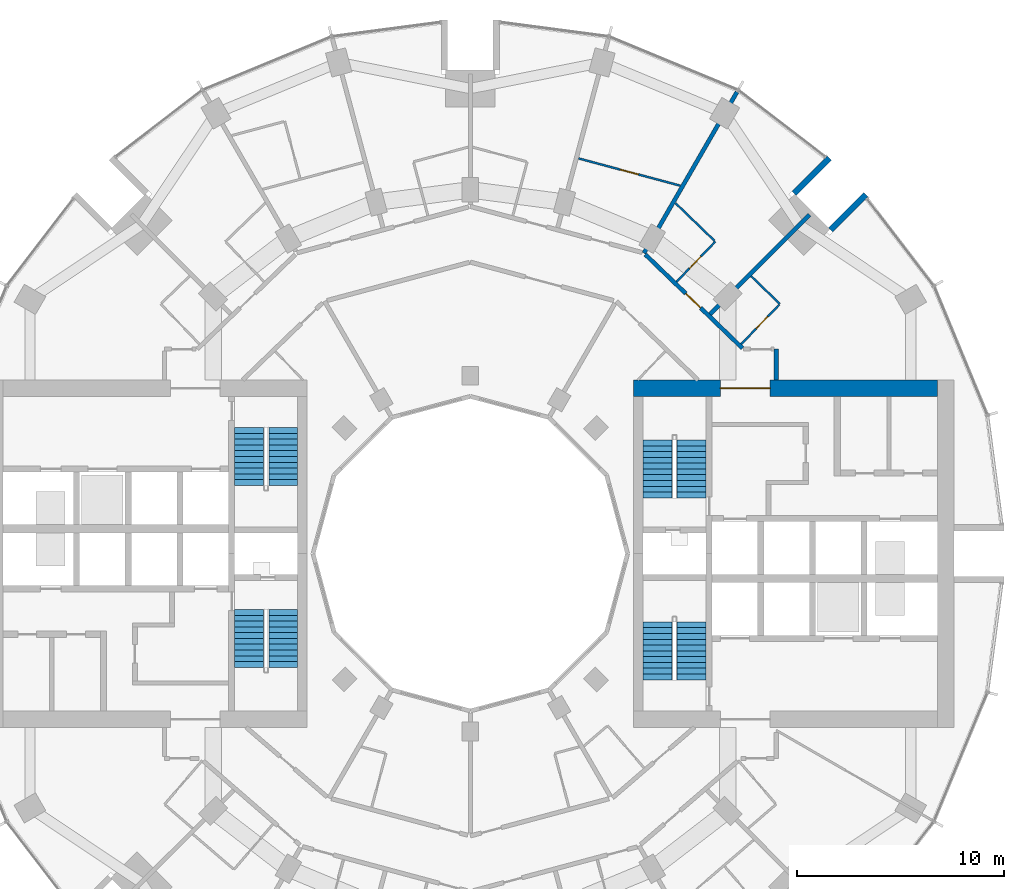
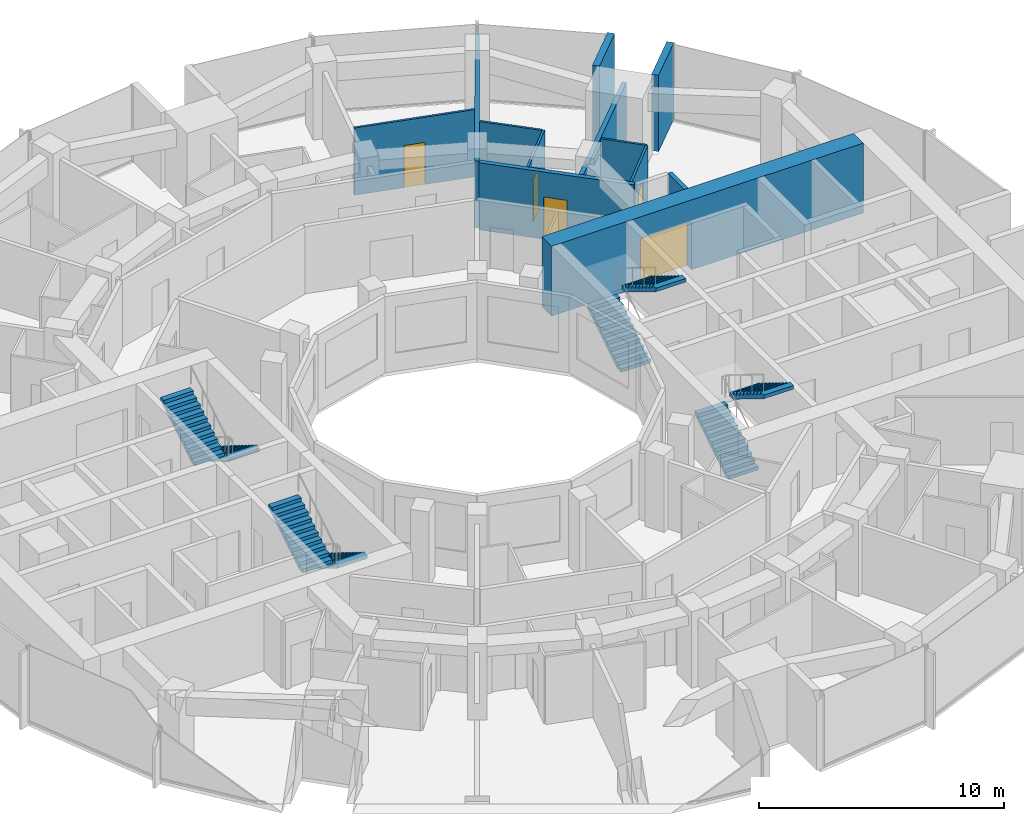
# One storey, part 13 of 15: 12 walls, 8 stair flights, 5 doors, 5 openings, 4 elements without a shape of their own.
"""IFC4 building model written with IfcOpenShell, lengths in metres."""

from ifc_helpers import new_model, si_unit, direction, frame, frame_2d, origin, place, context, subcontext, project, spatial, polyline, rectangle, outline, extrude, material, layer, layer_set, type_object, element, fill, aggregate, save


model = new_model("IFC4")

# Units and contexts
model_context = context("Model", 3, precision=1e-05, world=origin(), true_north=direction((0.0, 1.0)))
body_context = subcontext(model_context, "Body", "Model", "MODEL_VIEW")
ifc_project = project(units=[si_unit("LENGTHUNIT", "METRE"), si_unit("AREAUNIT", "SQUARE_METRE"), si_unit("VOLUMEUNIT", "CUBIC_METRE"), si_unit("PLANEANGLEUNIT", "RADIAN"), si_unit("MASSUNIT", "GRAM", prefix="KILO")], contexts=[model_context])

# Site, building, storey
site_placement = place(None, origin())
site = spatial("IfcSite", under=ifc_project, at=site_placement, CompositionType="ELEMENT")
building_placement = place(site_placement, origin())
building = spatial("IfcBuilding", under=site, at=building_placement, Name="Torre Brocal", CompositionType="ELEMENT")
storey_placement = place(building_placement, frame((0.0, 0.0, 44.0)))
storey = spatial("IfcBuildingStorey", under=building, at=storey_placement, Name="L09", CompositionType="ELEMENT", Elevation=44.0)

# Wall, opening, door
ifc_material_1 = material(Name="Concrete C80", Category="concrete")
ifc_layer_1 = layer(ifc_material_1, 0.800048828125)
ifc_layer_set_1 = layer_set([ifc_layer_1], Name="Concrete C80")
wall_type_1 = type_object("IfcWallType", Name="CORE WALL 800 C80", PredefinedType="SHEAR", material=ifc_layer_set_1)
wall_1_placement = place(storey_placement, frame((87.89990234375, 83.0, 0.0), z_axis=(0.0, 0.0, 1.0), x_axis=(1.0, 0.0, 0.0)))
wall_1 = element("IfcWall", 1, at=wall_1_placement, inside=storey, type_object=wall_type_1, Name="Wall CW800-80", PredefinedType="SHEAR", context=body_context, shape_type="SweptSolid", body=[
    extrude(rectangle(XDim=14.7001953125, YDim=0.800048828125, at=frame_2d((7.35009765625, 0.0))), origin(), (0.0, 0.0, 1.0), 3.47998046875),
])
opening_1_placement = place(wall_1_placement, frame((4.199951171875, 0.0, 0.0)))
opening_1 = element("IfcOpeningElement", 2, at=opening_1_placement, cuts=wall_1, Name="Opening E-D24", PredefinedType="OPENING", context=body_context, shape_type="SweptSolid", body=[
    extrude(rectangle(XDim=2.39990234375, YDim=2.39990234375, at=frame_2d((1.199951171875, 1.199951171875))), frame((0.0, 0.409912109375, 0.0), z_axis=(0.0, -1.0, 0.0), x_axis=(1.0, 0.0, 0.0)), (0.0, 0.0, 1.0), 0.820068359375),
])
ifc_material_2 = material(Name="Steel A653", Category="steel")
door_type_1 = type_object("IfcDoorType", Name="DOUBLE FIRE DOOR FD90 2400X2400", OperationType="DOUBLE_DOOR_SINGLE_SWING", PredefinedType="DOOR", material=ifc_material_2)
door_1_placement = place(opening_1_placement, frame((2.39990234375, 0.0, 0.0), z_axis=(0.0, 0.0, 1.0), x_axis=(-1.0, 0.0, 0.0)))
door_1 = element("IfcDoor", 3, at=door_1_placement, inside=storey, type_object=door_type_1, Name="Door E-D24", OperationType="DOUBLE_DOOR_SINGLE_SWING", OverallHeight=2.39990234375, OverallWidth=2.39990234375, PredefinedType="DOOR", context=body_context, shape_type="SweptSolid", body=[
    extrude(rectangle(XDim=2.39990234375, YDim=2.39990234375, at=frame_2d((1.199951171875, 1.199951171875))), frame((0.0, 0.02490234375, 0.0), z_axis=(0.0, -1.0, 0.0), x_axis=(1.0, 0.0, 0.0)), (0.0, 0.0, 1.0), 0.050048828125),
])
fill(opening_1, door_1)

# Walls
ifc_material_3 = material(Name="Concrete C80", Category="concrete")
ifc_layer_2 = layer(ifc_material_3, 0.300048828125)
ifc_layer_set_2 = layer_set([ifc_layer_2], Name="Concrete C80")
wall_type_2 = type_object("IfcWallType", Name="NOTCH RETURN WALL 300 C80", PredefinedType="NOTDEFINED", material=ifc_layer_set_2)
for number, where, z_axis, x_axis, name in (
    (4, (97.43017578125, 90.662353515625, 0.0), (0.0, 0.0, 1.0), (0.707106781187, 0.707106781187, 0.0), "NOTCH RETURN WALL"),
    (5, (95.662353515625, 92.43017578125, 0.0), (0.0, 0.0, 1.0), (0.707106781187, 0.707106781187, 0.0), "NOTCH RETURN WALL"),
):
    element("IfcWall", number, at=place(storey_placement, frame(where, z_axis=z_axis, x_axis=x_axis)), inside=storey, type_object=wall_type_2, Name=name, PredefinedType="NOTDEFINED", context=body_context, shape_type="SweptSolid", body=[
        extrude(rectangle(XDim=2.415771484375, YDim=0.300048828125, at=frame_2d((1.2080078125, 0.0))), origin(), (0.0, 0.0, 1.0), 3.800048828125),
    ])

# Wall, opening, door
ifc_material_4 = material(Name="Gypsum board", Category="Gypsum")
ifc_layer_3 = layer(ifc_material_4, 0.10009765625)
ifc_layer_set_3 = layer_set([ifc_layer_3], Name="Gypsum board")
wall_type_3 = type_object("IfcWallType", Name="PARTITION 100", PredefinedType="PARTITIONING", material=ifc_layer_set_3)
wall_2_placement = place(storey_placement, frame((85.2373046875, 94.119384765625, 0.0), z_axis=(0.0, 0.0, 1.0), x_axis=(0.965923866142, -0.258826360359, 0.0)))
wall_2 = element("IfcWall", 6, at=wall_2_placement, inside=storey, type_object=wall_type_3, Name="ROOM PARTITION", PredefinedType="PARTITIONING", context=body_context, shape_type="SweptSolid", body=[
    extrude(rectangle(XDim=5.091796875, YDim=0.10009765625, at=frame_2d((2.5458984375, 0.0))), origin(), (0.0, 0.0, 1.0), 3.35009765625),
])
opening_2_placement = place(wall_2_placement, frame((2.095947265625, 0.0, 0.0)))
opening_2 = element("IfcOpeningElement", 7, at=opening_2_placement, cuts=wall_2, Name="Opening H02-D06", PredefinedType="OPENING", context=body_context, shape_type="SweptSolid", body=[
    extrude(rectangle(XDim=0.89990234375, YDim=2.10009765625, at=frame_2d((0.449951171875, 1.050048828125))), frame((0.0, 0.06005859375, 0.0), z_axis=(0.0, -1.0, 0.0), x_axis=(1.0, 0.0, 0.0)), (0.0, 0.0, 1.0), 0.1201171875),
])
ifc_material_5 = material(Name="Timber", Category="wood")
door_type_2 = type_object("IfcDoorType", Name="ROOM DOOR 900X2100", OperationType="SINGLE_SWING_LEFT", PredefinedType="DOOR", material=ifc_material_5)
door_2_placement = place(opening_2_placement, frame((0.89990234375, 0.0, 0.0), z_axis=(0.0, 0.0, 1.0), x_axis=(-1.0, 0.0, 0.0)))
door_2 = element("IfcDoor", 8, at=door_2_placement, inside=storey, type_object=door_type_2, Name="H02-D06", OperationType="SINGLE_SWING_LEFT", OverallHeight=2.10009765625, OverallWidth=0.89990234375, PredefinedType="DOOR", context=body_context, shape_type="SweptSolid", body=[
    extrude(rectangle(XDim=0.89990234375, YDim=2.10009765625, at=frame_2d((0.449951171875, 1.050048828125))), frame((0.0, 0.02490234375, 0.0), z_axis=(0.0, -1.0, 0.0), x_axis=(1.0, 0.0, 0.0)), (0.0, 0.0, 1.0), 0.050048828125),
])
fill(opening_2, door_2)

# Wall
wall_3_placement = place(storey_placement, frame((89.925048828125, 91.956298828125, 0.0), z_axis=(0.0, 0.0, 1.0), x_axis=(0.71931338148, -0.694685726947, 0.0)))
element("IfcWall", 9, at=wall_3_placement, inside=storey, type_object=wall_type_3, Name="BATHROOM WALL", PredefinedType="PARTITIONING", context=body_context, shape_type="SweptSolid", body=[
    extrude(rectangle(XDim=2.626953125, YDim=0.10009765625, at=frame_2d((1.3134765625, 0.0))), origin(), (0.0, 0.0, 1.0), 3.35009765625),
])

# Wall, opening, door
wall_4_placement = place(storey_placement, frame((89.9755859375, 88.154052734375, 0.0), z_axis=(0.0, 0.0, 1.0), x_axis=(0.6945137956, 0.719479386585, 0.0)))
wall_4 = element("IfcWall", 10, at=wall_4_placement, inside=storey, type_object=wall_type_3, Name="BATHROOM WALL", PredefinedType="PARTITIONING", context=body_context, shape_type="SweptSolid", body=[
    extrude(rectangle(XDim=2.698974609375, YDim=0.10009765625, at=frame_2d((1.349609375, 0.0))), origin(), (0.0, 0.0, 1.0), 3.35009765625),
])
opening_3_placement = place(wall_4_placement, frame((0.899658203125, 0.0, 0.0)))
opening_3 = element("IfcOpeningElement", 11, at=opening_3_placement, cuts=wall_4, Name="Opening H02-D04", PredefinedType="OPENING", context=body_context, shape_type="SweptSolid", body=[
    extrude(rectangle(XDim=0.800048828125, YDim=2.10009765625, at=frame_2d((0.39990234375, 1.050048828125))), frame((0.0, 0.06005859375, 0.0), z_axis=(0.0, -1.0, 0.0), x_axis=(1.0, 0.0, 0.0)), (0.0, 0.0, 1.0), 0.1201171875),
])
ifc_material_6 = material(Name="Timber", Category="wood")
door_type_3 = type_object("IfcDoorType", Name="BATHROOM DOOR 800X2100", OperationType="SINGLE_SWING_LEFT", PredefinedType="DOOR", material=ifc_material_6)
door_3_placement = place(opening_3_placement, origin())
door_3 = element("IfcDoor", 12, at=door_3_placement, inside=storey, type_object=door_type_3, Name="H02-D04", OperationType="SINGLE_SWING_LEFT", OverallHeight=2.10009765625, OverallWidth=0.800048828125, PredefinedType="DOOR", context=body_context, shape_type="SweptSolid", body=[
    extrude(rectangle(XDim=0.800048828125, YDim=2.10009765625, at=frame_2d((0.39990234375, 1.050048828125))), frame((0.0, 0.02490234375, 0.0), z_axis=(0.0, -1.0, 0.0), x_axis=(1.0, 0.0, 0.0)), (0.0, 0.0, 1.0), 0.050048828125),
])
fill(opening_3, door_3)

wall_5_placement = place(storey_placement, frame((93.103515625, 85.135986328125, 0.0), z_axis=(0.0, 0.0, 1.0), x_axis=(0.694324808789, 0.719661767708, 0.0)))
wall_5 = element("IfcWall", 13, at=wall_5_placement, inside=storey, type_object=wall_type_3, Name="BATHROOM WALL", PredefinedType="PARTITIONING", context=body_context, shape_type="SweptSolid", body=[
    extrude(rectangle(XDim=2.64990234375, YDim=0.10009765625, at=frame_2d((1.324951171875, 0.0))), origin(), (0.0, 0.0, 1.0), 3.35009765625),
])
opening_4_placement = place(wall_5_placement, frame((1.0498046875, 0.0, 0.0)))
opening_4 = element("IfcOpeningElement", 14, at=opening_4_placement, cuts=wall_5, Name="Opening H02-D02", PredefinedType="OPENING", context=body_context, shape_type="SweptSolid", body=[
    extrude(rectangle(XDim=0.800048828125, YDim=2.10009765625, at=frame_2d((0.39990234375, 1.050048828125))), frame((0.0, 0.06005859375, 0.0), z_axis=(0.0, -1.0, 0.0), x_axis=(1.0, 0.0, 0.0)), (0.0, 0.0, 1.0), 0.1201171875),
])
door_4_placement = place(opening_4_placement, origin())
door_4 = element("IfcDoor", 15, at=door_4_placement, inside=storey, type_object=door_type_3, Name="H02-D02", OperationType="SINGLE_SWING_RIGHT", OverallHeight=2.10009765625, OverallWidth=0.800048828125, PredefinedType="DOOR", context=body_context, shape_type="SweptSolid", body=[
    extrude(rectangle(XDim=0.800048828125, YDim=2.10009765625, at=frame_2d((0.39990234375, 1.050048828125))), frame((0.0, 0.02490234375, 0.0), z_axis=(0.0, -1.0, 0.0), x_axis=(1.0, 0.0, 0.0)), (0.0, 0.0, 1.0), 0.050048828125),
])
fill(opening_4, door_4)

# Wall
wall_6_placement = place(storey_placement, frame((93.58154296875, 88.425048828125, 0.0), z_axis=(0.0, 0.0, 1.0), x_axis=(0.719334224501, -0.694664144361, 0.0)))
element("IfcWall", 16, at=wall_6_placement, inside=storey, type_object=wall_type_3, Name="BATHROOM WALL", PredefinedType="PARTITIONING", context=body_context, shape_type="SweptSolid", body=[
    extrude(rectangle(XDim=1.939697265625, YDim=0.10009765625, at=frame_2d((0.9697265625, 0.0))), origin(), (0.0, 0.0, 1.0), 3.35009765625),
])

# Wall, opening, door
ifc_material_7 = material(Name="Gypsum board", Category="Gypsum")
ifc_layer_4 = layer(ifc_material_7, 0.199951171875)
ifc_layer_set_4 = layer_set([ifc_layer_4], Name="Gypsum board")
wall_type_4 = type_object("IfcWallType", Name="PARTITION 200 EI60", PredefinedType="PARTITIONING", material=ifc_layer_set_4)
wall_7_placement = place(storey_placement, frame((88.46533203125, 89.472900390625, 0.0), z_axis=(0.0, 0.0, 1.0), x_axis=(0.719474304909, -0.694519059908, 0.0)))
wall_7 = element("IfcWall", 17, at=wall_7_placement, inside=storey, type_object=wall_type_4, Name="GUESTROOM CORRIDOR WALL", PredefinedType="PARTITIONING", context=body_context, shape_type="SweptSolid", body=[
    extrude(rectangle(XDim=6.525390625, YDim=0.199951171875, at=frame_2d((3.2626953125, 0.0))), origin(), (0.0, 0.0, 1.0), 3.35009765625),
])
opening_5_placement = place(wall_7_placement, frame((2.718505859375, 0.0, 0.0)))
opening_5 = element("IfcOpeningElement", 18, at=opening_5_placement, cuts=wall_7, Name="Opening H02-D03", PredefinedType="OPENING", context=body_context, shape_type="SweptSolid", body=[
    extrude(rectangle(XDim=1.0, YDim=2.10009765625, at=frame_2d((0.5, 1.050048828125))), frame((0.0, 0.10986328125, 0.0), z_axis=(0.0, -1.0, 0.0), x_axis=(1.0, 0.0, 0.0)), (0.0, 0.0, 1.0), 0.219970703125),
])
ifc_material_8 = material(Name="Timber", Category="wood")
door_type_4 = type_object("IfcDoorType", Name="FLAT ENTRY DOOR FD30S 1000X2100", OperationType="SINGLE_SWING_RIGHT", PredefinedType="DOOR", material=ifc_material_8)
door_5_placement = place(opening_5_placement, origin())
door_5 = element("IfcDoor", 19, at=door_5_placement, inside=storey, type_object=door_type_4, Name="H02-D03", OperationType="SINGLE_SWING_RIGHT", OverallHeight=2.10009765625, OverallWidth=1.0, PredefinedType="DOOR", context=body_context, shape_type="SweptSolid", body=[
    extrude(rectangle(XDim=1.0, YDim=2.10009765625, at=frame_2d((0.5, 1.050048828125))), frame((0.0, 0.02490234375, 0.0), z_axis=(0.0, -1.0, 0.0), x_axis=(1.0, 0.0, 0.0)), (0.0, 0.0, 1.0), 0.050048828125),
])
fill(opening_5, door_5)

# Walls
wall_8_placement = place(storey_placement, frame((88.397216796875, 89.538818359375, 0.0), z_axis=(0.0, 0.0, 1.0), x_axis=(0.500228379329, 0.86589350876, 0.0)))
element("IfcWall", 20, at=wall_8_placement, inside=storey, type_object=wall_type_4, Name="BATHROOM WALL", PredefinedType="PARTITIONING", context=body_context, shape_type="SweptSolid", body=[
    extrude(rectangle(XDim=9.008056640625, YDim=0.199951171875, at=frame_2d((4.50390625, 0.0))), origin(), (0.0, 0.0, 1.0), 3.35009765625),
])
wall_9_placement = place(storey_placement, frame((91.595458984375, 86.59033203125, 0.0), z_axis=(0.0, 0.0, 1.0), x_axis=(0.707232337591, 0.706981202484, 0.0)))
element("IfcWall", 21, at=wall_9_placement, inside=storey, type_object=wall_type_4, Name="BATHROOM WALL", PredefinedType="PARTITIONING", context=body_context, shape_type="SweptSolid", body=[
    extrude(rectangle(XDim=6.804931640625, YDim=0.199951171875, at=frame_2d((3.40234375, 0.0))), origin(), (0.0, 0.0, 1.0), 3.35009765625),
])
wall_10_placement = place(storey_placement, frame((94.800048828125, 83.40087890625, 0.0), z_axis=(0.0, 0.0, 1.0), x_axis=(0.0, 1.0, 0.0)))
element("IfcWall", 22, at=wall_10_placement, inside=storey, type_object=wall_type_4, Name="GUESTROOM CORRIDOR WALL", PredefinedType="PARTITIONING", context=body_context, shape_type="SweptSolid", body=[
    extrude(rectangle(XDim=1.4990234375, YDim=0.199951171875, at=frame_2d((0.74951171875, 0.0))), origin(), (0.0, 0.0, 1.0), 3.35009765625),
])

# Stair, stair flights
ifc_material_9 = material(Name="Concrete C50", Category="concrete")
stair_type = type_object("IfcStairType", Name="EXIT STAIR", PredefinedType="HALF_TURN_STAIR", material=ifc_material_9)
stair_1_placement = place(storey_placement, origin())
stair_1 = element("IfcStair", 23, at=stair_1_placement, inside=storey, type_object=stair_type, Name="EXIT STAIR ST1", PredefinedType="HALF_TURN_STAIR")
ifc_material_10 = material(Name="Concrete C50", Category="concrete")
ifc_layer_5 = layer(ifc_material_10, 0.14990234375)
ifc_layer_set_5 = layer_set([ifc_layer_5], Name="Concrete C50")
stair_flight_type = type_object("IfcStairFlightType", Name="STAIR FLIGHT", PredefinedType="STRAIGHT", material=ifc_layer_set_5)
stair_flight_1_placement = place(storey_placement, frame((89.050048828125, 77.699951171875, 0.0), z_axis=(0.0, 0.0, 1.0), x_axis=(0.0, 1.0, 0.0)))
stair_flight_1 = element("IfcStairFlight", 24, at=stair_flight_1_placement, type_object=stair_flight_type, Name="ST1 flight 1", NumberOfRisers=11, NumberOfTreads=10, PredefinedType="STRAIGHT", RiserHeight=0.172727273, TreadLength=0.28, context=body_context, shape_type="SweptSolid", body=[
    extrude(outline(polyline([(0.0, 0.0), (0.0, 0.172607421875), (0.280029296875, 0.172607421875), (0.280029296875, 0.345458984375), (0.56005859375, 0.345458984375), (0.56005859375, 0.51806640625), (0.840087890625, 0.51806640625), (0.840087890625, 0.69091796875), (1.1201171875, 0.69091796875), (1.1201171875, 0.863525390625), (1.39990234375, 0.863525390625), (1.39990234375, 1.036376953125), (1.679931640625, 1.036376953125), (1.679931640625, 1.208984375), (1.9599609375, 1.208984375), (1.9599609375, 1.3818359375), (2.239990234375, 1.3818359375), (2.239990234375, 1.554443359375), (2.52001953125, 1.554443359375), (2.52001953125, 1.727294921875), (2.800048828125, 1.727294921875), (2.800048828125, 1.89990234375), (2.800048828125, 1.551025390625), (0.285400390625, 0.0), (0.0, 0.0)])), frame((0.0, 0.699951171875, 0.0), z_axis=(0.0, -1.0, 0.0), x_axis=(1.0, 0.0, 0.0)), (0.0, 0.0, 1.0), 1.39990234375),
])
stair_flight_2_placement = place(storey_placement, frame((90.699951171875, 80.5, 1.89990234375), z_axis=(0.0, 0.0, 1.0), x_axis=(0.0, -1.0, 0.0)))
stair_flight_2 = element("IfcStairFlight", 25, at=stair_flight_2_placement, type_object=stair_flight_type, Name="ST1 flight 2", NumberOfRisers=11, NumberOfTreads=10, PredefinedType="STRAIGHT", RiserHeight=0.172727273, TreadLength=0.28, context=body_context, shape_type="SweptSolid", body=[
    extrude(outline(polyline([(0.0, 0.0), (0.0, 0.172607421875), (0.280029296875, 0.172607421875), (0.280029296875, 0.345458984375), (0.56005859375, 0.345458984375), (0.56005859375, 0.51806640625), (0.840087890625, 0.51806640625), (0.840087890625, 0.69091796875), (1.1201171875, 0.69091796875), (1.1201171875, 0.863525390625), (1.39990234375, 0.863525390625), (1.39990234375, 1.036376953125), (1.679931640625, 1.036376953125), (1.679931640625, 1.208984375), (1.9599609375, 1.208984375), (1.9599609375, 1.3818359375), (2.239990234375, 1.3818359375), (2.239990234375, 1.554443359375), (2.52001953125, 1.554443359375), (2.52001953125, 1.727294921875), (2.800048828125, 1.727294921875), (2.800048828125, 1.89990234375), (2.800048828125, 1.551025390625), (0.285400390625, 0.0), (0.0, 0.0)])), frame((0.0, 0.699951171875, 0.0), z_axis=(0.0, -1.0, 0.0), x_axis=(1.0, 0.0, 0.0)), (0.0, 0.0, 1.0), 1.39990234375),
])
aggregate(stair_1, [stair_flight_1, stair_flight_2])

stair_2_placement = place(storey_placement, origin())
stair_2 = element("IfcStair", 26, at=stair_2_placement, inside=storey, type_object=stair_type, Name="EXIT STAIR ST2", PredefinedType="HALF_TURN_STAIR")
stair_flight_3_placement = place(storey_placement, frame((89.050048828125, 68.89990234375, 0.0), z_axis=(0.0, 0.0, 1.0), x_axis=(0.0, 1.0, 0.0)))
stair_flight_3 = element("IfcStairFlight", 27, at=stair_flight_3_placement, type_object=stair_flight_type, Name="ST2 flight 1", NumberOfRisers=11, NumberOfTreads=10, PredefinedType="STRAIGHT", RiserHeight=0.172727273, TreadLength=0.28, context=body_context, shape_type="SweptSolid", body=[
    extrude(outline(polyline([(0.0, 0.0), (0.0, 0.172607421875), (0.280029296875, 0.172607421875), (0.280029296875, 0.345458984375), (0.56005859375, 0.345458984375), (0.56005859375, 0.51806640625), (0.840087890625, 0.51806640625), (0.840087890625, 0.69091796875), (1.1201171875, 0.69091796875), (1.1201171875, 0.863525390625), (1.39990234375, 0.863525390625), (1.39990234375, 1.036376953125), (1.679931640625, 1.036376953125), (1.679931640625, 1.208984375), (1.9599609375, 1.208984375), (1.9599609375, 1.3818359375), (2.239990234375, 1.3818359375), (2.239990234375, 1.554443359375), (2.52001953125, 1.554443359375), (2.52001953125, 1.727294921875), (2.800048828125, 1.727294921875), (2.800048828125, 1.89990234375), (2.800048828125, 1.551025390625), (0.285400390625, 0.0), (0.0, 0.0)])), frame((0.0, 0.699951171875, 0.0), z_axis=(0.0, -1.0, 0.0), x_axis=(1.0, 0.0, 0.0)), (0.0, 0.0, 1.0), 1.39990234375),
])
stair_flight_4_placement = place(storey_placement, frame((90.699951171875, 71.699951171875, 1.89990234375), z_axis=(0.0, 0.0, 1.0), x_axis=(0.0, -1.0, 0.0)))
stair_flight_4 = element("IfcStairFlight", 28, at=stair_flight_4_placement, type_object=stair_flight_type, Name="ST2 flight 2", NumberOfRisers=11, NumberOfTreads=10, PredefinedType="STRAIGHT", RiserHeight=0.172727273, TreadLength=0.28, context=body_context, shape_type="SweptSolid", body=[
    extrude(outline(polyline([(0.0, 0.0), (0.0, 0.172607421875), (0.280029296875, 0.172607421875), (0.280029296875, 0.345458984375), (0.56005859375, 0.345458984375), (0.56005859375, 0.51806640625), (0.840087890625, 0.51806640625), (0.840087890625, 0.69091796875), (1.1201171875, 0.69091796875), (1.1201171875, 0.863525390625), (1.39990234375, 0.863525390625), (1.39990234375, 1.036376953125), (1.679931640625, 1.036376953125), (1.679931640625, 1.208984375), (1.9599609375, 1.208984375), (1.9599609375, 1.3818359375), (2.239990234375, 1.3818359375), (2.239990234375, 1.554443359375), (2.52001953125, 1.554443359375), (2.52001953125, 1.727294921875), (2.800048828125, 1.727294921875), (2.800048828125, 1.89990234375), (2.800048828125, 1.551025390625), (0.285400390625, 0.0), (0.0, 0.0)])), frame((0.0, 0.699951171875, 0.0), z_axis=(0.0, -1.0, 0.0), x_axis=(1.0, 0.0, 0.0)), (0.0, 0.0, 1.0), 1.39990234375),
])
aggregate(stair_2, [stair_flight_3, stair_flight_4])

stair_3_placement = place(storey_placement, origin())
stair_3 = element("IfcStair", 29, at=stair_3_placement, inside=storey, type_object=stair_type, Name="EXIT STAIR ST3", PredefinedType="HALF_TURN_STAIR")
stair_flight_5_placement = place(storey_placement, frame((70.949951171875, 72.300048828125, 0.0), z_axis=(0.0, 0.0, 1.0), x_axis=(0.0, -1.0, 0.0)))
stair_flight_5 = element("IfcStairFlight", 30, at=stair_flight_5_placement, type_object=stair_flight_type, Name="ST3 flight 1", NumberOfRisers=11, NumberOfTreads=10, PredefinedType="STRAIGHT", RiserHeight=0.172727273, TreadLength=0.28, context=body_context, shape_type="SweptSolid", body=[
    extrude(outline(polyline([(0.0, 0.0), (0.0, 0.172607421875), (0.280029296875, 0.172607421875), (0.280029296875, 0.345458984375), (0.56005859375, 0.345458984375), (0.56005859375, 0.51806640625), (0.840087890625, 0.51806640625), (0.840087890625, 0.69091796875), (1.1201171875, 0.69091796875), (1.1201171875, 0.863525390625), (1.39990234375, 0.863525390625), (1.39990234375, 1.036376953125), (1.679931640625, 1.036376953125), (1.679931640625, 1.208984375), (1.9599609375, 1.208984375), (1.9599609375, 1.3818359375), (2.239990234375, 1.3818359375), (2.239990234375, 1.554443359375), (2.52001953125, 1.554443359375), (2.52001953125, 1.727294921875), (2.800048828125, 1.727294921875), (2.800048828125, 1.89990234375), (2.800048828125, 1.551025390625), (0.285400390625, 0.0), (0.0, 0.0)])), frame((0.0, 0.699951171875, 0.0), z_axis=(0.0, -1.0, 0.0), x_axis=(1.0, 0.0, 0.0)), (0.0, 0.0, 1.0), 1.39990234375),
])
stair_flight_6_placement = place(storey_placement, frame((69.300048828125, 69.5, 1.89990234375), z_axis=(0.0, 0.0, 1.0), x_axis=(0.0, 1.0, 0.0)))
stair_flight_6 = element("IfcStairFlight", 31, at=stair_flight_6_placement, type_object=stair_flight_type, Name="ST3 flight 2", NumberOfRisers=11, NumberOfTreads=10, PredefinedType="STRAIGHT", RiserHeight=0.172727273, TreadLength=0.28, context=body_context, shape_type="SweptSolid", body=[
    extrude(outline(polyline([(0.0, 0.0), (0.0, 0.172607421875), (0.280029296875, 0.172607421875), (0.280029296875, 0.345458984375), (0.56005859375, 0.345458984375), (0.56005859375, 0.51806640625), (0.840087890625, 0.51806640625), (0.840087890625, 0.69091796875), (1.1201171875, 0.69091796875), (1.1201171875, 0.863525390625), (1.39990234375, 0.863525390625), (1.39990234375, 1.036376953125), (1.679931640625, 1.036376953125), (1.679931640625, 1.208984375), (1.9599609375, 1.208984375), (1.9599609375, 1.3818359375), (2.239990234375, 1.3818359375), (2.239990234375, 1.554443359375), (2.52001953125, 1.554443359375), (2.52001953125, 1.727294921875), (2.800048828125, 1.727294921875), (2.800048828125, 1.89990234375), (2.800048828125, 1.551025390625), (0.285400390625, 0.0), (0.0, 0.0)])), frame((0.0, 0.699951171875, 0.0), z_axis=(0.0, -1.0, 0.0), x_axis=(1.0, 0.0, 0.0)), (0.0, 0.0, 1.0), 1.39990234375),
])
aggregate(stair_3, [stair_flight_5, stair_flight_6])

stair_4_placement = place(storey_placement, origin())
stair_4 = element("IfcStair", 32, at=stair_4_placement, inside=storey, type_object=stair_type, Name="EXIT STAIR ST4", PredefinedType="HALF_TURN_STAIR")
stair_flight_7_placement = place(storey_placement, frame((70.949951171875, 81.10009765625, 0.0), z_axis=(0.0, 0.0, 1.0), x_axis=(0.0, -1.0, 0.0)))
stair_flight_7 = element("IfcStairFlight", 33, at=stair_flight_7_placement, type_object=stair_flight_type, Name="ST4 flight 1", NumberOfRisers=11, NumberOfTreads=10, PredefinedType="STRAIGHT", RiserHeight=0.172727273, TreadLength=0.28, context=body_context, shape_type="SweptSolid", body=[
    extrude(outline(polyline([(0.0, 0.0), (0.0, 0.172607421875), (0.280029296875, 0.172607421875), (0.280029296875, 0.345458984375), (0.56005859375, 0.345458984375), (0.56005859375, 0.51806640625), (0.840087890625, 0.51806640625), (0.840087890625, 0.69091796875), (1.1201171875, 0.69091796875), (1.1201171875, 0.863525390625), (1.39990234375, 0.863525390625), (1.39990234375, 1.036376953125), (1.679931640625, 1.036376953125), (1.679931640625, 1.208984375), (1.9599609375, 1.208984375), (1.9599609375, 1.3818359375), (2.239990234375, 1.3818359375), (2.239990234375, 1.554443359375), (2.52001953125, 1.554443359375), (2.52001953125, 1.727294921875), (2.800048828125, 1.727294921875), (2.800048828125, 1.89990234375), (2.800048828125, 1.551025390625), (0.285400390625, 0.0), (0.0, 0.0)])), frame((0.0, 0.699951171875, 0.0), z_axis=(0.0, -1.0, 0.0), x_axis=(1.0, 0.0, 0.0)), (0.0, 0.0, 1.0), 1.39990234375),
])
stair_flight_8_placement = place(storey_placement, frame((69.300048828125, 78.300048828125, 1.89990234375), z_axis=(0.0, 0.0, 1.0), x_axis=(0.0, 1.0, 0.0)))
stair_flight_8 = element("IfcStairFlight", 34, at=stair_flight_8_placement, type_object=stair_flight_type, Name="ST4 flight 2", NumberOfRisers=11, NumberOfTreads=10, PredefinedType="STRAIGHT", RiserHeight=0.172727273, TreadLength=0.28, context=body_context, shape_type="SweptSolid", body=[
    extrude(outline(polyline([(0.0, 0.0), (0.0, 0.172607421875), (0.280029296875, 0.172607421875), (0.280029296875, 0.345458984375), (0.56005859375, 0.345458984375), (0.56005859375, 0.51806640625), (0.840087890625, 0.51806640625), (0.840087890625, 0.69091796875), (1.1201171875, 0.69091796875), (1.1201171875, 0.863525390625), (1.39990234375, 0.863525390625), (1.39990234375, 1.036376953125), (1.679931640625, 1.036376953125), (1.679931640625, 1.208984375), (1.9599609375, 1.208984375), (1.9599609375, 1.3818359375), (2.239990234375, 1.3818359375), (2.239990234375, 1.554443359375), (2.52001953125, 1.554443359375), (2.52001953125, 1.727294921875), (2.800048828125, 1.727294921875), (2.800048828125, 1.89990234375), (2.800048828125, 1.551025390625), (0.285400390625, 0.0), (0.0, 0.0)])), frame((0.0, 0.699951171875, 0.0), z_axis=(0.0, -1.0, 0.0), x_axis=(1.0, 0.0, 0.0)), (0.0, 0.0, 1.0), 1.39990234375),
])
aggregate(stair_4, [stair_flight_7, stair_flight_8])

save(model, "model.ifc")
